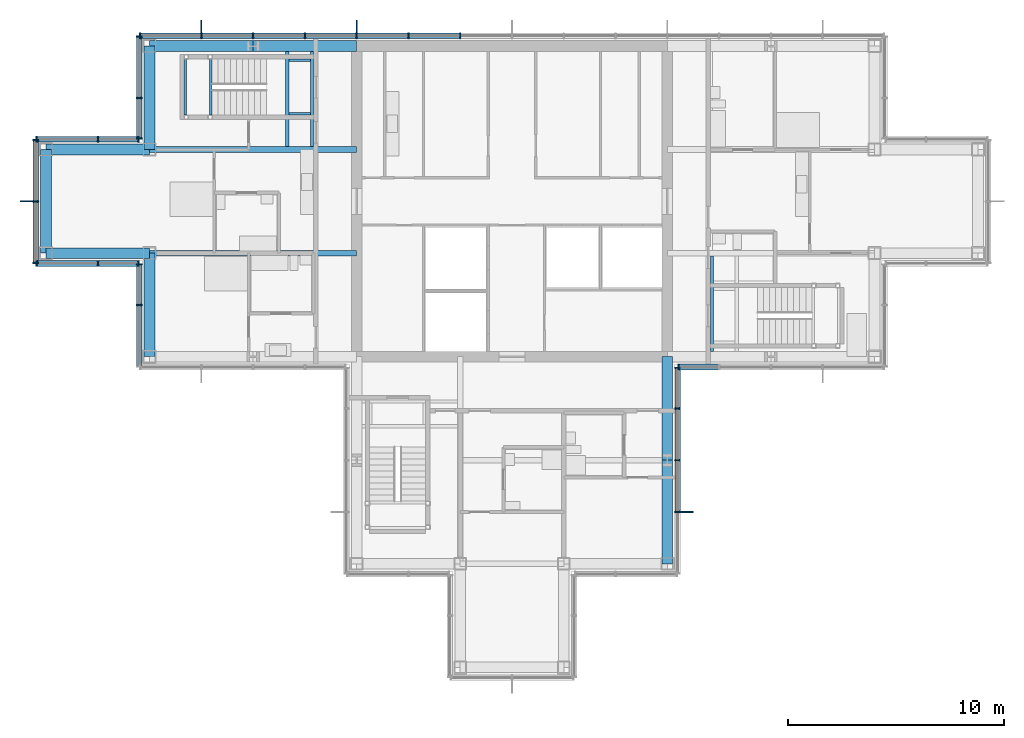
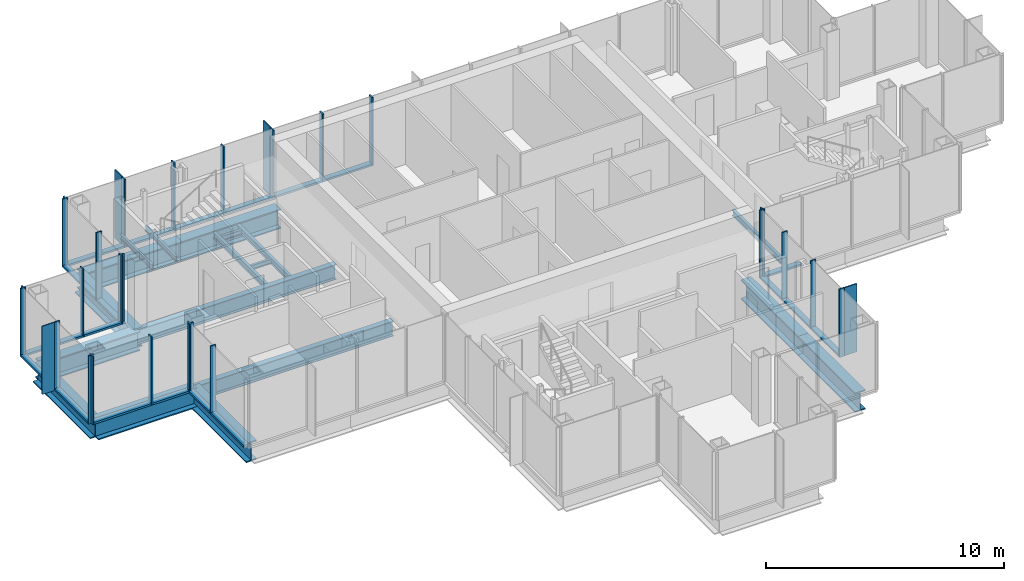
# One storey, part 6 of 15: 50 members, 18 beams, 8 elements without a shape of their own.
"""IFC4 building model written with IfcOpenShell, lengths in metres."""

from ifc_helpers import new_model, si_unit, direction, frame, origin, origin_2d, place, context, subcontext, project, spatial, rectangle, i_section, extrude, material, material_profile, profile_set, type_object, element, aggregate, save


model = new_model("IFC4")

# Units and contexts
model_context = context("Model", 3, precision=1e-05, world=origin(), true_north=direction((0.0, 1.0)))
body_context = subcontext(model_context, "Body", "Model", "MODEL_VIEW")
ifc_project = project(units=[si_unit("LENGTHUNIT", "METRE"), si_unit("AREAUNIT", "SQUARE_METRE"), si_unit("VOLUMEUNIT", "CUBIC_METRE"), si_unit("PLANEANGLEUNIT", "RADIAN"), si_unit("MASSUNIT", "GRAM", prefix="KILO")], contexts=[model_context])

# Site, building, storey
site_placement = place(None, origin())
site = spatial("IfcSite", under=ifc_project, at=site_placement, CompositionType="ELEMENT")
building_placement = place(site_placement, origin())
building = spatial("IfcBuilding", under=site, at=building_placement, Name="Kvirike Care Tower", CompositionType="ELEMENT")
storey_placement = place(building_placement, frame((0.0, 0.0, 208.5)))
storey = spatial("IfcBuildingStorey", under=building, at=storey_placement, Name="L57", CompositionType="ELEMENT", Elevation=208.5)

# Curtain wall, members
ifc_material_1 = material(Name="Anodised aluminium stick system", Category="aluminium")
curtain_wall_type = type_object("IfcCurtainWallType", Name="CW-D STICK CURTAIN WALL", PredefinedType="NOTDEFINED", material=ifc_material_1)
curtain_wall_1_placement = place(storey_placement, origin())
curtain_wall_1 = element("IfcCurtainWall", 1, at=curtain_wall_1_placement, inside=storey, type_object=curtain_wall_type, Name="Curtain wall L57 face 7", PredefinedType="NOTDEFINED")
ifc_material_2 = material(Name="Bronze anodised aluminium fin", Category="aluminium")
ifc_material_profile_1 = material_profile(ifc_material_2, rectangle(XDim=0.050048828125, YDim=0.60009765625, at=origin_2d()), Name="BRONZE FIN 600")
ifc_profile_set_1 = profile_set([ifc_material_profile_1], Name="Bronze anodised aluminium fin")
member_type_1 = type_object("IfcMemberType", Name="BRONZE FIN 600", PredefinedType="USERDEFINED", material=ifc_profile_set_1)
member_1_placement = place(storey_placement, frame((14.39990234375, 44.110107421875, 0.0), z_axis=(0.0, 0.0, 1.0), x_axis=(-1.0, 0.0, 0.0)))
member_1 = element("IfcMember", 2, at=member_1_placement, type_object=member_type_1, Name="Bronze fin L57 face 7.11", ObjectType="FIN", PredefinedType="USERDEFINED", context=body_context, shape_type="SweptSolid", body=[
    extrude(rectangle(XDim=0.050048828125, YDim=0.60009765625, at=origin_2d()), origin(), (0.0, 0.0, 1.0), 3.5),
])
member_2_placement = place(storey_placement, frame((7.199951171875, 44.110107421875, 0.0), z_axis=(0.0, 0.0, 1.0), x_axis=(-1.0, 0.0, 0.0)))
member_2 = element("IfcMember", 3, at=member_2_placement, type_object=member_type_1, Name="Bronze fin L57 face 7.14", ObjectType="FIN", PredefinedType="USERDEFINED", context=body_context, shape_type="SweptSolid", body=[
    extrude(rectangle(XDim=0.050048828125, YDim=0.60009765625, at=origin_2d()), origin(), (0.0, 0.0, 1.0), 3.5),
])

# Curtain wall, member
curtain_wall_2_placement = place(storey_placement, origin())
curtain_wall_2 = element("IfcCurtainWall", 4, at=curtain_wall_2_placement, inside=storey, type_object=curtain_wall_type, Name="Curtain wall L57 face 10", PredefinedType="NOTDEFINED")
member_3_placement = place(storey_placement, frame((-0.909912109375, 36.0, 0.0), z_axis=(0.0, 0.0, 1.0), x_axis=(0.0, -1.0, 0.0)))
member_3 = element("IfcMember", 5, at=member_3_placement, type_object=member_type_1, Name="Bronze fin L57 face 10.2", ObjectType="FIN", PredefinedType="USERDEFINED", context=body_context, shape_type="SweptSolid", body=[
    extrude(rectangle(XDim=0.050048828125, YDim=0.60009765625, at=origin_2d()), origin(), (0.0, 0.0, 1.0), 3.5),
])

curtain_wall_3_placement = place(storey_placement, origin())
curtain_wall_3 = element("IfcCurtainWall", 6, at=curtain_wall_3_placement, inside=storey, type_object=curtain_wall_type, Name="Curtain wall L57 face 20", PredefinedType="NOTDEFINED")
member_4_placement = place(storey_placement, frame((29.7099609375, 21.60009765625, 0.0), z_axis=(0.0, 0.0, 1.0), x_axis=(0.0, 1.0, 0.0)))
member_4 = element("IfcMember", 7, at=member_4_placement, type_object=member_type_1, Name="Bronze fin L57 face 20.2", ObjectType="FIN", PredefinedType="USERDEFINED", context=body_context, shape_type="SweptSolid", body=[
    extrude(rectangle(XDim=0.050048828125, YDim=0.60009765625, at=origin_2d()), origin(), (0.0, 0.0, 1.0), 3.5),
])

curtain_wall_4_placement = place(storey_placement, origin())
curtain_wall_4 = element("IfcCurtainWall", 8, at=curtain_wall_4_placement, inside=storey, type_object=curtain_wall_type, Name="Curtain wall L57 face 1", PredefinedType="NOTDEFINED")
ifc_material_3 = material(Name="Bronze anodised aluminium mullion", Category="aluminium")
ifc_material_profile_2 = material_profile(ifc_material_3, rectangle(XDim=0.06494140625, YDim=0.260009765625, at=origin_2d()), Name="CW-D MULLION 65x260")
ifc_profile_set_2 = profile_set([ifc_material_profile_2], Name="Bronze anodised aluminium mullion")
member_type_2 = type_object("IfcMemberType", Name="CW-D MULLION 65x260", PredefinedType="MULLION", material=ifc_profile_set_2)
member_5_placement = place(storey_placement, frame((29.3125, 28.320068359375, 0.0), z_axis=(0.0, 0.0, 1.0), x_axis=(1.0, 0.0, 0.0)))
member_5 = element("IfcMember", 9, at=member_5_placement, type_object=member_type_2, Name="CW-D mullion L57 face 1.1", PredefinedType="MULLION", context=body_context, shape_type="SweptSolid", body=[
    extrude(rectangle(XDim=0.06494140625, YDim=0.260009765625, at=origin_2d()), origin(), (0.0, 0.0, 1.0), 3.5),
])

# Member
member_6_placement = place(storey_placement, frame((19.199951171875, 43.679931640625, 0.0), z_axis=(0.0, 0.0, 1.0), x_axis=(-1.0, 0.0, 0.0)))
member_6 = element("IfcMember", 10, at=member_6_placement, type_object=member_type_2, Name="CW-D mullion L57 face 7.9", PredefinedType="MULLION", context=body_context, shape_type="SweptSolid", body=[
    extrude(rectangle(XDim=0.06494140625, YDim=0.260009765625, at=origin_2d()), origin(), (0.0, 0.0, 1.0), 3.5),
])

member_7_placement = place(storey_placement, frame((16.800048828125, 43.679931640625, 0.0), z_axis=(0.0, 0.0, 1.0), x_axis=(-1.0, 0.0, 0.0)))
member_7 = element("IfcMember", 11, at=member_7_placement, type_object=member_type_2, Name="CW-D mullion L57 face 7.10", PredefinedType="MULLION", context=body_context, shape_type="SweptSolid", body=[
    extrude(rectangle(XDim=0.06494140625, YDim=0.260009765625, at=origin_2d()), origin(), (0.0, 0.0, 1.0), 3.5),
])

member_8_placement = place(storey_placement, frame((14.39990234375, 43.679931640625, 0.0), z_axis=(0.0, 0.0, 1.0), x_axis=(-1.0, 0.0, 0.0)))
member_8 = element("IfcMember", 12, at=member_8_placement, type_object=member_type_2, Name="CW-D mullion L57 face 7.11", PredefinedType="MULLION", context=body_context, shape_type="SweptSolid", body=[
    extrude(rectangle(XDim=0.06494140625, YDim=0.260009765625, at=origin_2d()), origin(), (0.0, 0.0, 1.0), 3.5),
])

member_9_placement = place(storey_placement, frame((12.0, 43.679931640625, 0.0), z_axis=(0.0, 0.0, 1.0), x_axis=(-1.0, 0.0, 0.0)))
member_9 = element("IfcMember", 13, at=member_9_placement, type_object=member_type_2, Name="CW-D mullion L57 face 7.12", PredefinedType="MULLION", context=body_context, shape_type="SweptSolid", body=[
    extrude(rectangle(XDim=0.06494140625, YDim=0.260009765625, at=origin_2d()), origin(), (0.0, 0.0, 1.0), 3.5),
])

member_10_placement = place(storey_placement, frame((9.60009765625, 43.679931640625, 0.0), z_axis=(0.0, 0.0, 1.0), x_axis=(-1.0, 0.0, 0.0)))
member_10 = element("IfcMember", 14, at=member_10_placement, type_object=member_type_2, Name="CW-D mullion L57 face 7.13", PredefinedType="MULLION", context=body_context, shape_type="SweptSolid", body=[
    extrude(rectangle(XDim=0.06494140625, YDim=0.260009765625, at=origin_2d()), origin(), (0.0, 0.0, 1.0), 3.5),
])

member_11_placement = place(storey_placement, frame((7.199951171875, 43.679931640625, 0.0), z_axis=(0.0, 0.0, 1.0), x_axis=(-1.0, 0.0, 0.0)))
member_11 = element("IfcMember", 15, at=member_11_placement, type_object=member_type_2, Name="CW-D mullion L57 face 7.14", PredefinedType="MULLION", context=body_context, shape_type="SweptSolid", body=[
    extrude(rectangle(XDim=0.06494140625, YDim=0.260009765625, at=origin_2d()), origin(), (0.0, 0.0, 1.0), 3.5),
])

member_12_placement = place(storey_placement, frame((4.3525390625, 43.679931640625, 0.0), z_axis=(0.0, 0.0, 1.0), x_axis=(-1.0, 0.0, 0.0)))
member_12 = element("IfcMember", 16, at=member_12_placement, type_object=member_type_2, Name="CW-D mullion L57 face 7.15", PredefinedType="MULLION", context=body_context, shape_type="SweptSolid", body=[
    extrude(rectangle(XDim=0.06494140625, YDim=0.260009765625, at=origin_2d()), origin(), (0.0, 0.0, 1.0), 3.5),
])

# Curtain wall, members
curtain_wall_5_placement = place(storey_placement, origin())
curtain_wall_5 = element("IfcCurtainWall", 17, at=curtain_wall_5_placement, inside=storey, type_object=curtain_wall_type, Name="Curtain wall L57 face 8", PredefinedType="NOTDEFINED")
member_13_placement = place(storey_placement, frame((4.320068359375, 43.6474609375, 0.0), z_axis=(0.0, 0.0, 1.0), x_axis=(0.0, -1.0, 0.0)))
member_13 = element("IfcMember", 18, at=member_13_placement, type_object=member_type_2, Name="CW-D mullion L57 face 8.1", PredefinedType="MULLION", context=body_context, shape_type="SweptSolid", body=[
    extrude(rectangle(XDim=0.06494140625, YDim=0.260009765625, at=origin_2d()), origin(), (0.0, 0.0, 1.0), 3.5),
])
member_14_placement = place(storey_placement, frame((4.320068359375, 40.800048828125, 0.0), z_axis=(0.0, 0.0, 1.0), x_axis=(0.0, -1.0, 0.0)))
member_14 = element("IfcMember", 19, at=member_14_placement, type_object=member_type_2, Name="CW-D mullion L57 face 8.2", PredefinedType="MULLION", context=body_context, shape_type="SweptSolid", body=[
    extrude(rectangle(XDim=0.06494140625, YDim=0.260009765625, at=origin_2d()), origin(), (0.0, 0.0, 1.0), 3.5),
])
member_15_placement = place(storey_placement, frame((4.320068359375, 38.91259765625, 0.0), z_axis=(0.0, 0.0, 1.0), x_axis=(0.0, -1.0, 0.0)))
member_15 = element("IfcMember", 20, at=member_15_placement, type_object=member_type_2, Name="CW-D mullion L57 face 8.3", PredefinedType="MULLION", context=body_context, shape_type="SweptSolid", body=[
    extrude(rectangle(XDim=0.06494140625, YDim=0.260009765625, at=origin_2d()), origin(), (0.0, 0.0, 1.0), 3.5),
])

curtain_wall_6_placement = place(storey_placement, origin())
curtain_wall_6 = element("IfcCurtainWall", 21, at=curtain_wall_6_placement, inside=storey, type_object=curtain_wall_type, Name="Curtain wall L57 face 9", PredefinedType="NOTDEFINED")
member_16_placement = place(storey_placement, frame((4.28759765625, 38.8798828125, 0.0), z_axis=(0.0, 0.0, 1.0), x_axis=(-1.0, 0.0, 0.0)))
member_16 = element("IfcMember", 22, at=member_16_placement, type_object=member_type_2, Name="CW-D mullion L57 face 9.1", PredefinedType="MULLION", context=body_context, shape_type="SweptSolid", body=[
    extrude(rectangle(XDim=0.06494140625, YDim=0.260009765625, at=origin_2d()), origin(), (0.0, 0.0, 1.0), 3.5),
])
member_17_placement = place(storey_placement, frame((2.39990234375, 38.8798828125, 0.0), z_axis=(0.0, 0.0, 1.0), x_axis=(-1.0, 0.0, 0.0)))
member_17 = element("IfcMember", 23, at=member_17_placement, type_object=member_type_2, Name="CW-D mullion L57 face 9.2", PredefinedType="MULLION", context=body_context, shape_type="SweptSolid", body=[
    extrude(rectangle(XDim=0.06494140625, YDim=0.260009765625, at=origin_2d()), origin(), (0.0, 0.0, 1.0), 3.5),
])
member_18_placement = place(storey_placement, frame((-0.447509765625, 38.8798828125, 0.0), z_axis=(0.0, 0.0, 1.0), x_axis=(-1.0, 0.0, 0.0)))
member_18 = element("IfcMember", 24, at=member_18_placement, type_object=member_type_2, Name="CW-D mullion L57 face 9.3", PredefinedType="MULLION", context=body_context, shape_type="SweptSolid", body=[
    extrude(rectangle(XDim=0.06494140625, YDim=0.260009765625, at=origin_2d()), origin(), (0.0, 0.0, 1.0), 3.5),
])

# Member
member_19_placement = place(storey_placement, frame((-0.47998046875, 38.847412109375, 0.0), z_axis=(0.0, 0.0, 1.0), x_axis=(0.0, -1.0, 0.0)))
member_19 = element("IfcMember", 25, at=member_19_placement, type_object=member_type_2, Name="CW-D mullion L57 face 10.1", PredefinedType="MULLION", context=body_context, shape_type="SweptSolid", body=[
    extrude(rectangle(XDim=0.06494140625, YDim=0.260009765625, at=origin_2d()), origin(), (0.0, 0.0, 1.0), 3.5),
])

member_20_placement = place(storey_placement, frame((-0.47998046875, 36.0, 0.0), z_axis=(0.0, 0.0, 1.0), x_axis=(0.0, -1.0, 0.0)))
member_20 = element("IfcMember", 26, at=member_20_placement, type_object=member_type_2, Name="CW-D mullion L57 face 10.2", PredefinedType="MULLION", context=body_context, shape_type="SweptSolid", body=[
    extrude(rectangle(XDim=0.06494140625, YDim=0.260009765625, at=origin_2d()), origin(), (0.0, 0.0, 1.0), 3.5),
])

member_21_placement = place(storey_placement, frame((-0.47998046875, 33.152587890625, 0.0), z_axis=(0.0, 0.0, 1.0), x_axis=(0.0, -1.0, 0.0)))
member_21 = element("IfcMember", 27, at=member_21_placement, type_object=member_type_2, Name="CW-D mullion L57 face 10.3", PredefinedType="MULLION", context=body_context, shape_type="SweptSolid", body=[
    extrude(rectangle(XDim=0.06494140625, YDim=0.260009765625, at=origin_2d()), origin(), (0.0, 0.0, 1.0), 3.5),
])

# Curtain wall, members
curtain_wall_7_placement = place(storey_placement, origin())
curtain_wall_7 = element("IfcCurtainWall", 28, at=curtain_wall_7_placement, inside=storey, type_object=curtain_wall_type, Name="Curtain wall L57 face 11", PredefinedType="NOTDEFINED")
member_22_placement = place(storey_placement, frame((-0.447509765625, 33.1201171875, 0.0), z_axis=(0.0, 0.0, 1.0), x_axis=(1.0, 0.0, 0.0)))
member_22 = element("IfcMember", 29, at=member_22_placement, type_object=member_type_2, Name="CW-D mullion L57 face 11.1", PredefinedType="MULLION", context=body_context, shape_type="SweptSolid", body=[
    extrude(rectangle(XDim=0.06494140625, YDim=0.260009765625, at=origin_2d()), origin(), (0.0, 0.0, 1.0), 3.5),
])
member_23_placement = place(storey_placement, frame((2.39990234375, 33.1201171875, 0.0), z_axis=(0.0, 0.0, 1.0), x_axis=(1.0, 0.0, 0.0)))
member_23 = element("IfcMember", 30, at=member_23_placement, type_object=member_type_2, Name="CW-D mullion L57 face 11.2", PredefinedType="MULLION", context=body_context, shape_type="SweptSolid", body=[
    extrude(rectangle(XDim=0.06494140625, YDim=0.260009765625, at=origin_2d()), origin(), (0.0, 0.0, 1.0), 3.5),
])
member_24_placement = place(storey_placement, frame((4.28759765625, 33.1201171875, 0.0), z_axis=(0.0, 0.0, 1.0), x_axis=(1.0, 0.0, 0.0)))
member_24 = element("IfcMember", 31, at=member_24_placement, type_object=member_type_2, Name="CW-D mullion L57 face 11.3", PredefinedType="MULLION", context=body_context, shape_type="SweptSolid", body=[
    extrude(rectangle(XDim=0.06494140625, YDim=0.260009765625, at=origin_2d()), origin(), (0.0, 0.0, 1.0), 3.5),
])

curtain_wall_8_placement = place(storey_placement, origin())
curtain_wall_8 = element("IfcCurtainWall", 32, at=curtain_wall_8_placement, inside=storey, type_object=curtain_wall_type, Name="Curtain wall L57 face 12", PredefinedType="NOTDEFINED")
member_25_placement = place(storey_placement, frame((4.320068359375, 33.08740234375, 0.0), z_axis=(0.0, 0.0, 1.0), x_axis=(0.0, -1.0, 0.0)))
member_25 = element("IfcMember", 33, at=member_25_placement, type_object=member_type_2, Name="CW-D mullion L57 face 12.1", PredefinedType="MULLION", context=body_context, shape_type="SweptSolid", body=[
    extrude(rectangle(XDim=0.06494140625, YDim=0.260009765625, at=origin_2d()), origin(), (0.0, 0.0, 1.0), 3.5),
])
member_26_placement = place(storey_placement, frame((4.320068359375, 31.199951171875, 0.0), z_axis=(0.0, 0.0, 1.0), x_axis=(0.0, -1.0, 0.0)))
member_26 = element("IfcMember", 34, at=member_26_placement, type_object=member_type_2, Name="CW-D mullion L57 face 12.2", PredefinedType="MULLION", context=body_context, shape_type="SweptSolid", body=[
    extrude(rectangle(XDim=0.06494140625, YDim=0.260009765625, at=origin_2d()), origin(), (0.0, 0.0, 1.0), 3.5),
])

# Member
member_27_placement = place(storey_placement, frame((29.280029296875, 21.60009765625, 0.0), z_axis=(0.0, 0.0, 1.0), x_axis=(0.0, 1.0, 0.0)))
member_27 = element("IfcMember", 35, at=member_27_placement, type_object=member_type_2, Name="CW-D mullion L57 face 20.2", PredefinedType="MULLION", context=body_context, shape_type="SweptSolid", body=[
    extrude(rectangle(XDim=0.06494140625, YDim=0.260009765625, at=origin_2d()), origin(), (0.0, 0.0, 1.0), 3.5),
])

member_28_placement = place(storey_placement, frame((29.280029296875, 24.0, 0.0), z_axis=(0.0, 0.0, 1.0), x_axis=(0.0, 1.0, 0.0)))
member_28 = element("IfcMember", 36, at=member_28_placement, type_object=member_type_2, Name="CW-D mullion L57 face 20.3", PredefinedType="MULLION", context=body_context, shape_type="SweptSolid", body=[
    extrude(rectangle(XDim=0.06494140625, YDim=0.260009765625, at=origin_2d()), origin(), (0.0, 0.0, 1.0), 3.5),
])

member_29_placement = place(storey_placement, frame((29.280029296875, 26.39990234375, 0.0), z_axis=(0.0, 0.0, 1.0), x_axis=(0.0, 1.0, 0.0)))
member_29 = element("IfcMember", 37, at=member_29_placement, type_object=member_type_2, Name="CW-D mullion L57 face 20.4", PredefinedType="MULLION", context=body_context, shape_type="SweptSolid", body=[
    extrude(rectangle(XDim=0.06494140625, YDim=0.260009765625, at=origin_2d()), origin(), (0.0, 0.0, 1.0), 3.5),
])

member_30_placement = place(storey_placement, frame((29.280029296875, 28.28759765625, 0.0), z_axis=(0.0, 0.0, 1.0), x_axis=(0.0, 1.0, 0.0)))
member_30 = element("IfcMember", 38, at=member_30_placement, type_object=member_type_2, Name="CW-D mullion L57 face 20.5", PredefinedType="MULLION", context=body_context, shape_type="SweptSolid", body=[
    extrude(rectangle(XDim=0.06494140625, YDim=0.260009765625, at=origin_2d()), origin(), (0.0, 0.0, 1.0), 3.5),
])

ifc_material_4 = material(Name="Bronze anodised aluminium transom", Category="aluminium")
ifc_material_profile_3 = material_profile(ifc_material_4, rectangle(XDim=0.260009765625, YDim=0.10009765625, at=origin_2d()), Name="CW-D TRANSOM 260x100")
ifc_profile_set_3 = profile_set([ifc_material_profile_3], Name="Bronze anodised aluminium transom")
member_type_3 = type_object("IfcMemberType", Name="CW-D TRANSOM 260x100", PredefinedType="USERDEFINED", material=ifc_profile_set_3)
member_31_placement = place(storey_placement, frame((29.344970703125, 28.320068359375, 0.050048828125), z_axis=(1.0, 0.0, 0.0), x_axis=(0.0, 1.0, 0.0)))
member_31 = element("IfcMember", 39, at=member_31_placement, type_object=member_type_3, Name="CW-D sill transom L57 face 1.1", ObjectType="TRANSOM", PredefinedType="USERDEFINED", context=body_context, shape_type="SweptSolid", body=[
    extrude(rectangle(XDim=0.260009765625, YDim=0.10009765625, at=origin_2d()), origin(), (0.0, 0.0, 1.0), 1.822509765625),
])

aggregate(curtain_wall_4, [member_5, member_31])

member_32_placement = place(storey_placement, frame((19.16748046875, 43.679931640625, 0.050048828125), z_axis=(-1.0, 0.0, 0.0), x_axis=(0.0, -1.0, 0.0)))
member_32 = element("IfcMember", 40, at=member_32_placement, type_object=member_type_3, Name="CW-D sill transom L57 face 7.9", ObjectType="TRANSOM", PredefinedType="USERDEFINED", context=body_context, shape_type="SweptSolid", body=[
    extrude(rectangle(XDim=0.260009765625, YDim=0.10009765625, at=origin_2d()), origin(), (0.0, 0.0, 1.0), 2.3349609375),
])

member_33_placement = place(storey_placement, frame((16.767578125, 43.679931640625, 0.050048828125), z_axis=(-1.0, 0.0, 0.0), x_axis=(0.0, -1.0, 0.0)))
member_33 = element("IfcMember", 41, at=member_33_placement, type_object=member_type_3, Name="CW-D sill transom L57 face 7.10", ObjectType="TRANSOM", PredefinedType="USERDEFINED", context=body_context, shape_type="SweptSolid", body=[
    extrude(rectangle(XDim=0.260009765625, YDim=0.10009765625, at=origin_2d()), origin(), (0.0, 0.0, 1.0), 2.3349609375),
])

member_34_placement = place(storey_placement, frame((14.367431640625, 43.679931640625, 0.050048828125), z_axis=(-1.0, 0.0, 0.0), x_axis=(0.0, -1.0, 0.0)))
member_34 = element("IfcMember", 42, at=member_34_placement, type_object=member_type_3, Name="CW-D sill transom L57 face 7.11", ObjectType="TRANSOM", PredefinedType="USERDEFINED", context=body_context, shape_type="SweptSolid", body=[
    extrude(rectangle(XDim=0.260009765625, YDim=0.10009765625, at=origin_2d()), origin(), (0.0, 0.0, 1.0), 2.3349609375),
])

member_35_placement = place(storey_placement, frame((11.967529296875, 43.679931640625, 0.050048828125), z_axis=(-1.0, 0.0, 0.0), x_axis=(0.0, -1.0, 0.0)))
member_35 = element("IfcMember", 43, at=member_35_placement, type_object=member_type_3, Name="CW-D sill transom L57 face 7.12", ObjectType="TRANSOM", PredefinedType="USERDEFINED", context=body_context, shape_type="SweptSolid", body=[
    extrude(rectangle(XDim=0.260009765625, YDim=0.10009765625, at=origin_2d()), origin(), (0.0, 0.0, 1.0), 2.3349609375),
])

member_36_placement = place(storey_placement, frame((9.5673828125, 43.679931640625, 0.050048828125), z_axis=(-1.0, 0.0, 0.0), x_axis=(0.0, -1.0, 0.0)))
member_36 = element("IfcMember", 44, at=member_36_placement, type_object=member_type_3, Name="CW-D sill transom L57 face 7.13", ObjectType="TRANSOM", PredefinedType="USERDEFINED", context=body_context, shape_type="SweptSolid", body=[
    extrude(rectangle(XDim=0.260009765625, YDim=0.10009765625, at=origin_2d()), origin(), (0.0, 0.0, 1.0), 2.3349609375),
])

member_37_placement = place(storey_placement, frame((7.16748046875, 43.679931640625, 0.050048828125), z_axis=(-1.0, 0.0, 0.0), x_axis=(0.0, -1.0, 0.0)))
member_37 = element("IfcMember", 45, at=member_37_placement, type_object=member_type_3, Name="CW-D sill transom L57 face 7.14", ObjectType="TRANSOM", PredefinedType="USERDEFINED", context=body_context, shape_type="SweptSolid", body=[
    extrude(rectangle(XDim=0.260009765625, YDim=0.10009765625, at=origin_2d()), origin(), (0.0, 0.0, 1.0), 2.782470703125),
])

aggregate(curtain_wall_1, [member_6, member_7, member_8, member_1, member_9, member_10, member_11, member_2, member_12, member_32, member_33, member_34, member_35, member_36, member_37])

member_38_placement = place(storey_placement, frame((4.320068359375, 43.614990234375, 0.050048828125), z_axis=(0.0, -1.0, 0.0), x_axis=(1.0, 0.0, 0.0)))
member_38 = element("IfcMember", 46, at=member_38_placement, type_object=member_type_3, Name="CW-D sill transom L57 face 8.1", ObjectType="TRANSOM", PredefinedType="USERDEFINED", context=body_context, shape_type="SweptSolid", body=[
    extrude(rectangle(XDim=0.260009765625, YDim=0.10009765625, at=origin_2d()), origin(), (0.0, 0.0, 1.0), 2.782470703125),
])

member_39_placement = place(storey_placement, frame((4.320068359375, 40.767578125, 0.050048828125), z_axis=(0.0, -1.0, 0.0), x_axis=(1.0, 0.0, 0.0)))
member_39 = element("IfcMember", 47, at=member_39_placement, type_object=member_type_3, Name="CW-D sill transom L57 face 8.2", ObjectType="TRANSOM", PredefinedType="USERDEFINED", context=body_context, shape_type="SweptSolid", body=[
    extrude(rectangle(XDim=0.260009765625, YDim=0.10009765625, at=origin_2d()), origin(), (0.0, 0.0, 1.0), 1.822509765625),
])

aggregate(curtain_wall_5, [member_13, member_14, member_15, member_38, member_39])

member_40_placement = place(storey_placement, frame((4.2548828125, 38.8798828125, 0.050048828125), z_axis=(-1.0, 0.0, 0.0), x_axis=(0.0, -1.0, 0.0)))
member_40 = element("IfcMember", 48, at=member_40_placement, type_object=member_type_3, Name="CW-D sill transom L57 face 9.1", ObjectType="TRANSOM", PredefinedType="USERDEFINED", context=body_context, shape_type="SweptSolid", body=[
    extrude(rectangle(XDim=0.260009765625, YDim=0.10009765625, at=origin_2d()), origin(), (0.0, 0.0, 1.0), 1.822265625),
])

member_41_placement = place(storey_placement, frame((2.367431640625, 38.8798828125, 0.050048828125), z_axis=(-1.0, 0.0, 0.0), x_axis=(0.0, -1.0, 0.0)))
member_41 = element("IfcMember", 49, at=member_41_placement, type_object=member_type_3, Name="CW-D sill transom L57 face 9.2", ObjectType="TRANSOM", PredefinedType="USERDEFINED", context=body_context, shape_type="SweptSolid", body=[
    extrude(rectangle(XDim=0.260009765625, YDim=0.10009765625, at=origin_2d()), origin(), (0.0, 0.0, 1.0), 2.782470703125),
])

aggregate(curtain_wall_6, [member_16, member_17, member_18, member_40, member_41])

member_42_placement = place(storey_placement, frame((-0.47998046875, 38.81494140625, 0.050048828125), z_axis=(0.0, -1.0, 0.0), x_axis=(1.0, 0.0, 0.0)))
member_42 = element("IfcMember", 50, at=member_42_placement, type_object=member_type_3, Name="CW-D sill transom L57 face 10.1", ObjectType="TRANSOM", PredefinedType="USERDEFINED", context=body_context, shape_type="SweptSolid", body=[
    extrude(rectangle(XDim=0.260009765625, YDim=0.10009765625, at=origin_2d()), origin(), (0.0, 0.0, 1.0), 2.782470703125),
])

member_43_placement = place(storey_placement, frame((-0.47998046875, 35.967529296875, 0.050048828125), z_axis=(0.0, -1.0, 0.0), x_axis=(1.0, 0.0, 0.0)))
member_43 = element("IfcMember", 51, at=member_43_placement, type_object=member_type_3, Name="CW-D sill transom L57 face 10.2", ObjectType="TRANSOM", PredefinedType="USERDEFINED", context=body_context, shape_type="SweptSolid", body=[
    extrude(rectangle(XDim=0.260009765625, YDim=0.10009765625, at=origin_2d()), origin(), (0.0, 0.0, 1.0), 2.782470703125),
])

aggregate(curtain_wall_2, [member_19, member_20, member_3, member_21, member_42, member_43])

member_44_placement = place(storey_placement, frame((-0.4150390625, 33.1201171875, 0.050048828125), z_axis=(1.0, 0.0, 0.0), x_axis=(0.0, 1.0, 0.0)))
member_44 = element("IfcMember", 52, at=member_44_placement, type_object=member_type_3, Name="CW-D sill transom L57 face 11.1", ObjectType="TRANSOM", PredefinedType="USERDEFINED", context=body_context, shape_type="SweptSolid", body=[
    extrude(rectangle(XDim=0.260009765625, YDim=0.10009765625, at=origin_2d()), origin(), (0.0, 0.0, 1.0), 2.782470703125),
])

member_45_placement = place(storey_placement, frame((2.4326171875, 33.1201171875, 0.050048828125), z_axis=(1.0, 0.0, 0.0), x_axis=(0.0, 1.0, 0.0)))
member_45 = element("IfcMember", 53, at=member_45_placement, type_object=member_type_3, Name="CW-D sill transom L57 face 11.2", ObjectType="TRANSOM", PredefinedType="USERDEFINED", context=body_context, shape_type="SweptSolid", body=[
    extrude(rectangle(XDim=0.260009765625, YDim=0.10009765625, at=origin_2d()), origin(), (0.0, 0.0, 1.0), 1.822265625),
])

aggregate(curtain_wall_7, [member_22, member_23, member_24, member_44, member_45])

member_46_placement = place(storey_placement, frame((4.320068359375, 33.054931640625, 0.050048828125), z_axis=(0.0, -1.0, 0.0), x_axis=(1.0, 0.0, 0.0)))
member_46 = element("IfcMember", 54, at=member_46_placement, type_object=member_type_3, Name="CW-D sill transom L57 face 12.1", ObjectType="TRANSOM", PredefinedType="USERDEFINED", context=body_context, shape_type="SweptSolid", body=[
    extrude(rectangle(XDim=0.260009765625, YDim=0.10009765625, at=origin_2d()), origin(), (0.0, 0.0, 1.0), 1.822509765625),
])

member_47_placement = place(storey_placement, frame((4.320068359375, 31.16748046875, 0.050048828125), z_axis=(0.0, -1.0, 0.0), x_axis=(1.0, 0.0, 0.0)))
member_47 = element("IfcMember", 55, at=member_47_placement, type_object=member_type_3, Name="CW-D sill transom L57 face 12.2", ObjectType="TRANSOM", PredefinedType="USERDEFINED", context=body_context, shape_type="SweptSolid", body=[
    extrude(rectangle(XDim=0.260009765625, YDim=0.10009765625, at=origin_2d()), origin(), (0.0, 0.0, 1.0), 2.782470703125),
])

aggregate(curtain_wall_8, [member_25, member_26, member_46, member_47])

member_48_placement = place(storey_placement, frame((29.280029296875, 21.632568359375, 0.050048828125), z_axis=(0.0, 1.0, 0.0), x_axis=(-1.0, 0.0, 0.0)))
member_48 = element("IfcMember", 56, at=member_48_placement, type_object=member_type_3, Name="CW-D sill transom L57 face 20.2", ObjectType="TRANSOM", PredefinedType="USERDEFINED", context=body_context, shape_type="SweptSolid", body=[
    extrude(rectangle(XDim=0.260009765625, YDim=0.10009765625, at=origin_2d()), origin(), (0.0, 0.0, 1.0), 2.3349609375),
])

member_49_placement = place(storey_placement, frame((29.280029296875, 24.032470703125, 0.050048828125), z_axis=(0.0, 1.0, 0.0), x_axis=(-1.0, 0.0, 0.0)))
member_49 = element("IfcMember", 57, at=member_49_placement, type_object=member_type_3, Name="CW-D sill transom L57 face 20.3", ObjectType="TRANSOM", PredefinedType="USERDEFINED", context=body_context, shape_type="SweptSolid", body=[
    extrude(rectangle(XDim=0.260009765625, YDim=0.10009765625, at=origin_2d()), origin(), (0.0, 0.0, 1.0), 2.3349609375),
])

member_50_placement = place(storey_placement, frame((29.280029296875, 26.4326171875, 0.050048828125), z_axis=(0.0, 1.0, 0.0), x_axis=(-1.0, 0.0, 0.0)))
member_50 = element("IfcMember", 58, at=member_50_placement, type_object=member_type_3, Name="CW-D sill transom L57 face 20.4", ObjectType="TRANSOM", PredefinedType="USERDEFINED", context=body_context, shape_type="SweptSolid", body=[
    extrude(rectangle(XDim=0.260009765625, YDim=0.10009765625, at=origin_2d()), origin(), (0.0, 0.0, 1.0), 1.822265625),
])

aggregate(curtain_wall_3, [member_27, member_4, member_28, member_29, member_30, member_48, member_49, member_50])

# Beams
ifc_material_5 = material(Name="Steel S355", Category="steel")
ifc_material_profile_4 = material_profile(ifc_material_5, i_section(OverallWidth=0.26806640625, OverallDepth=0.77001953125, WebThickness=0.015625, FlangeThickness=0.025390625, FilletRadius=0.01708984375, at=origin_2d()), Name="IPE 750x196")
ifc_profile_set_4 = profile_set([ifc_material_profile_4], Name="Steel S355")
beam_type_1 = type_object("IfcBeamType", Name="FLOOR BEAM IPE 750x196", PredefinedType="BEAM", material=ifc_profile_set_4)
for number, where, z_axis, x_axis, name in (
    (59, (4.800048828125, 33.60009765625, -0.554931640625), (1.0, 0.0, 0.0), (0.0, 1.0, 0.0), "Floor Beam H4-H6 L57"),
    (60, (4.800048828125, 38.39990234375, -0.554931640625), (1.0, 0.0, 0.0), (0.0, 1.0, 0.0), "Floor Beam J4-J6 L57"),
):
    element("IfcBeam", number, at=place(storey_placement, frame(where, z_axis=z_axis, x_axis=x_axis)), inside=storey, type_object=beam_type_1, Name=name, PredefinedType="BEAM", context=body_context, shape_type="SweptSolid", body=[
        extrude(i_section(OverallWidth=0.26806640625, OverallDepth=0.77001953125, WebThickness=0.015625, FlangeThickness=0.025390625, FilletRadius=0.01708984375, at=origin_2d()), origin(), (0.0, 0.0, 1.0), 9.599853515625),
    ])
ifc_material_6 = material(Name="Steel S355", Category="steel")
ifc_material_profile_5 = material_profile(ifc_material_6, i_section(OverallWidth=0.5, OverallDepth=1.0, WebThickness=0.030029296875, FlangeThickness=0.06005859375, at=origin_2d()), Name="PG 1000x500x30x60")
ifc_profile_set_5 = profile_set([ifc_material_profile_5], Name="Steel S355")
beam_type_2 = type_object("IfcBeamType", Name="SPANDREL PG 1000x500x30x60", PredefinedType="SPANDREL", material=ifc_profile_set_5)
for number, where, z_axis, x_axis, name in (
    (61, (0.0, 33.60009765625, -0.669921875), (1.0, 0.0, 0.0), (0.0, 1.0, 0.0), "Spandrel H3-H4 L57"),
    (62, (0.0, 38.39990234375, -0.669921875), (1.0, 0.0, 0.0), (0.0, 1.0, 0.0), "Spandrel J3-J4 L57"),
    (63, (4.800048828125, 43.199951171875, -0.669921875), (1.0, 0.0, 0.0), (0.0, 1.0, 0.0), "Spandrel K4-K5 L57"),
):
    element("IfcBeam", number, at=place(storey_placement, frame(where, z_axis=z_axis, x_axis=x_axis)), inside=storey, type_object=beam_type_2, Name=name, PredefinedType="SPANDREL", context=body_context, shape_type="SweptSolid", body=[
        extrude(i_section(OverallWidth=0.5, OverallDepth=1.0, WebThickness=0.030029296875, FlangeThickness=0.06005859375, at=origin_2d()), origin(), (0.0, 0.0, 1.0), 4.800048828125),
    ])
for number, where, z_axis, x_axis, name in (
    (64, (9.60009765625, 43.199951171875, -0.669921875), (1.0, 0.0, 0.0), (0.0, 1.0, 0.0), "Spandrel K5-K6 L57"),
    (65, (0.0, 33.60009765625, -0.669921875), (0.0, 1.0, 0.0), (-1.0, 0.0, 0.0), "Spandrel H3-J3 L57"),
):
    element("IfcBeam", number, at=place(storey_placement, frame(where, z_axis=z_axis, x_axis=x_axis)), inside=storey, type_object=beam_type_2, Name=name, PredefinedType="SPANDREL", context=body_context, shape_type="SweptSolid", body=[
        extrude(i_section(OverallWidth=0.5, OverallDepth=1.0, WebThickness=0.030029296875, FlangeThickness=0.06005859375, at=origin_2d()), origin(), (0.0, 0.0, 1.0), 4.7998046875),
    ])
for number, where, z_axis, x_axis, name in (
    (66, (4.800048828125, 28.800048828125, -0.669921875), (0.0, 1.0, 0.0), (-1.0, 0.0, 0.0), "Spandrel G4-H4 L57"),
    (67, (4.800048828125, 38.39990234375, -0.669921875), (0.0, 1.0, 0.0), (-1.0, 0.0, 0.0), "Spandrel J4-K4 L57"),
    (68, (28.800048828125, 19.199951171875, -0.669921875), (0.0, 1.0, 0.0), (-1.0, 0.0, 0.0), "Spandrel E9-F9 L57"),
    (69, (28.800048828125, 24.0, -0.669921875), (0.0, 1.0, 0.0), (-1.0, 0.0, 0.0), "Spandrel F9-G9 L57"),
):
    element("IfcBeam", number, at=place(storey_placement, frame(where, z_axis=z_axis, x_axis=x_axis)), inside=storey, type_object=beam_type_2, Name=name, PredefinedType="SPANDREL", context=body_context, shape_type="SweptSolid", body=[
        extrude(i_section(OverallWidth=0.5, OverallDepth=1.0, WebThickness=0.030029296875, FlangeThickness=0.06005859375, at=origin_2d()), origin(), (0.0, 0.0, 1.0), 4.800048828125),
    ])
ifc_material_7 = material(Name="Steel S355", Category="steel")
ifc_material_profile_6 = material_profile(ifc_material_7, i_section(OverallWidth=0.1201171875, OverallDepth=0.239990234375, WebThickness=0.006103515625, FlangeThickness=0.009765625, FilletRadius=0.014892578125, at=origin_2d()), Name="IPE 240")
ifc_profile_set_6 = profile_set([ifc_material_profile_6], Name="Steel S355")
beam_type_3 = type_object("IfcBeamType", Name="STAIR LANDING BEAM IPE 240", PredefinedType="BEAM", material=ifc_profile_set_6)
for number, where, z_axis, x_axis, name in (
    (70, (6.4599609375, 42.60009765625, 1.429931640625), (0.0, -1.0, 0.0), (1.0, 0.0, 0.0), "Stair 1 landing beam back L57"),
    (71, (7.639892578125, 42.60009765625, 1.429931640625), (0.0, -1.0, 0.0), (1.0, 0.0, 0.0), "Stair 1 landing beam front L57"),
):
    element("IfcBeam", number, at=place(storey_placement, frame(where, z_axis=z_axis, x_axis=x_axis)), inside=storey, type_object=beam_type_3, Name=name, PredefinedType="BEAM", context=body_context, shape_type="SweptSolid", body=[
        extrude(i_section(OverallWidth=0.1201171875, OverallDepth=0.239990234375, WebThickness=0.006103515625, FlangeThickness=0.009765625, FilletRadius=0.014892578125, at=origin_2d()), origin(), (0.0, 0.0, 1.0), 2.60009765625),
    ])
for number, where, z_axis, x_axis, name in (
    (72, (11.25, 42.5400390625, -0.320068359375), (1.0, 0.0, 0.0), (0.0, 1.0, 0.0), "Stair 1 landing edge beam 1 L57"),
    (73, (11.25, 40.06005859375, -0.320068359375), (1.0, 0.0, 0.0), (0.0, 1.0, 0.0), "Stair 1 landing edge beam 2 L57"),
):
    element("IfcBeam", number, at=place(storey_placement, frame(where, z_axis=z_axis, x_axis=x_axis)), inside=storey, type_object=beam_type_3, Name=name, PredefinedType="BEAM", context=body_context, shape_type="SweptSolid", body=[
        extrude(i_section(OverallWidth=0.1201171875, OverallDepth=0.239990234375, WebThickness=0.006103515625, FlangeThickness=0.009765625, FilletRadius=0.014892578125, at=origin_2d()), origin(), (0.0, 0.0, 1.0), 1.0),
    ])
ifc_material_8 = material(Name="Steel S355", Category="steel")
ifc_material_profile_7 = material_profile(ifc_material_8, i_section(OverallWidth=0.14990234375, OverallDepth=0.300048828125, WebThickness=0.007080078125, FlangeThickness=0.0107421875, FilletRadius=0.014892578125, at=origin_2d()), Name="IPE 300")
ifc_profile_set_7 = profile_set([ifc_material_profile_7], Name="Steel S355")
beam_type_4 = type_object("IfcBeamType", Name="STAIR TRIMMER IPE 300", PredefinedType="BEAM", material=ifc_profile_set_7)
for number, where, z_axis, x_axis, name in (
    (74, (11.175048828125, 42.949951171875, -0.35009765625), (0.0, -1.0, 0.0), (1.0, 0.0, 0.0), "Stair 1 trimmer 1 L57"),
    (75, (12.324951171875, 42.949951171875, -0.35009765625), (0.0, -1.0, 0.0), (1.0, 0.0, 0.0), "Stair 1 trimmer 2 L57"),
    (76, (30.875, 29.050048828125, -0.35009765625), (0.0, 1.0, 0.0), (-1.0, 0.0, 0.0), "Stair 2 trimmer 2 L57"),
):
    element("IfcBeam", number, at=place(storey_placement, frame(where, z_axis=z_axis, x_axis=x_axis)), inside=storey, type_object=beam_type_4, Name=name, PredefinedType="BEAM", context=body_context, shape_type="SweptSolid", body=[
        extrude(i_section(OverallWidth=0.14990234375, OverallDepth=0.300048828125, WebThickness=0.007080078125, FlangeThickness=0.0107421875, FilletRadius=0.014892578125, at=origin_2d()), origin(), (0.0, 0.0, 1.0), 4.416015625),
    ])

save(model, "model.ifc")
